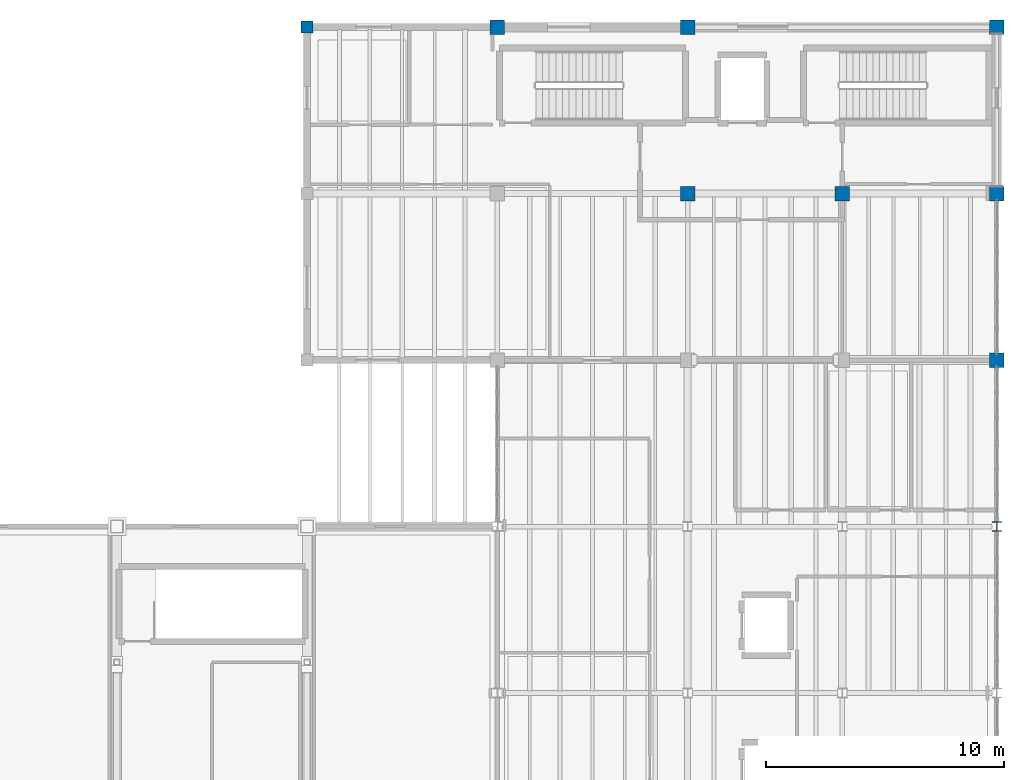
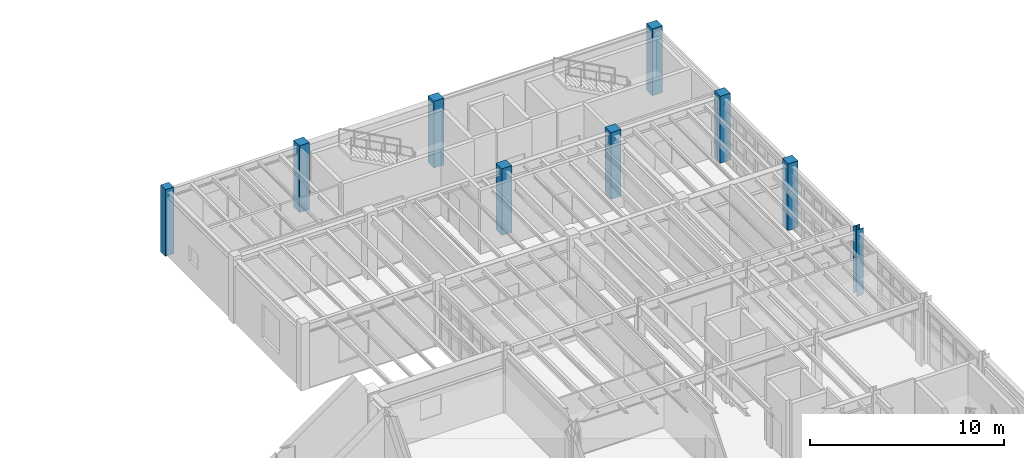
# One storey, part 7 of 78: 9 columns.
"""IFC4 building model written with IfcOpenShell, lengths in metres."""

from ifc_helpers import new_model, si_unit, direction, frame, origin, origin_2d, place, context, subcontext, project, spatial, rectangle, i_section, extrude, material, material_profile, profile_set, type_object, element, save


model = new_model("IFC4")

# Units and contexts
model_context = context("Model", 3, precision=1e-05, world=origin(), true_north=direction((0.0, 1.0)))
body_context = subcontext(model_context, "Body", "Model", "MODEL_VIEW")
ifc_project = project(units=[si_unit("LENGTHUNIT", "METRE"), si_unit("AREAUNIT", "SQUARE_METRE"), si_unit("VOLUMEUNIT", "CUBIC_METRE"), si_unit("PLANEANGLEUNIT", "RADIAN"), si_unit("MASSUNIT", "GRAM", prefix="KILO"), si_unit("THERMODYNAMICTEMPERATUREUNIT", "KELVIN"), si_unit("POWERUNIT", "WATT")], contexts=[model_context])

# Site, building, storey
site_placement = place(None, origin())
site = spatial("IfcSite", under=ifc_project, at=site_placement, CompositionType="ELEMENT")
building_placement = place(site_placement, origin())
building = spatial("IfcBuilding", under=site, at=building_placement, Name="Zhenchuan Central Fire Station", CompositionType="ELEMENT")
storey_placement = place(building_placement, frame((0.0, 0.0, 5.85009765625)))
storey = spatial("IfcBuildingStorey", under=building, at=storey_placement, Name="L02", CompositionType="ELEMENT", Elevation=5.85009765625)

# Columns
ifc_material_1 = material(Name="Steel Q355B", Category="steel")
ifc_material_profile_1 = material_profile(ifc_material_1, i_section(OverallWidth=0.39990234375, OverallDepth=0.39990234375, WebThickness=0.012939453125, FlangeThickness=0.02099609375, FilletRadius=0.02197265625, at=origin_2d()), Name="HW 400x400")
ifc_profile_set_1 = profile_set([ifc_material_profile_1], Name="Steel Q355B")
column_type_1 = type_object("IfcColumnType", Name="COL-HW400", PredefinedType="COLUMN", material=ifc_profile_set_1)
column_1_placement = place(storey_placement, frame((161.0, 35.5, 0.0), z_axis=(0.0, 0.0, 1.0), x_axis=(1.0, 0.0, 0.0)))
element("IfcColumn", 1, at=column_1_placement, inside=storey, type_object=column_type_1, Name="L02 Column 115", PredefinedType="COLUMN", context=body_context, shape_type="SweptSolid", body=[
    extrude(i_section(OverallWidth=0.39990234375, OverallDepth=0.39990234375, WebThickness=0.012939453125, FlangeThickness=0.02099609375, FilletRadius=0.02197265625, at=origin_2d()), origin(), (0.0, 0.0, 1.0), 4.199951171875),
])
ifc_material_2 = material(Name="Concrete C40/50", Category="concrete")
ifc_material_profile_2 = material_profile(ifc_material_2, rectangle(XDim=0.5, YDim=0.5, at=origin_2d()), Name="RC 500x500")
ifc_profile_set_2 = profile_set([ifc_material_profile_2], Name="Concrete C40/50")
column_type_2 = type_object("IfcColumnType", Name="COL-RC500-EXT", PredefinedType="COLUMN", material=ifc_profile_set_2)
column_2_placement = place(storey_placement, frame((132.0, 56.5, 0.0), z_axis=(0.0, 0.0, 1.0), x_axis=(1.0, 0.0, 0.0)))
element("IfcColumn", 2, at=column_2_placement, inside=storey, type_object=column_type_2, Name="L02 Column 083", PredefinedType="COLUMN", context=body_context, shape_type="SweptSolid", body=[
    extrude(rectangle(XDim=0.5, YDim=0.5, at=origin_2d()), origin(), (0.0, 0.0, 1.0), 4.199951171875),
])
ifc_material_profile_3 = material_profile(ifc_material_2, rectangle(XDim=0.60009765625, YDim=0.60009765625, at=origin_2d()), Name="RC 600x600")
ifc_profile_set_3 = profile_set([ifc_material_profile_3], Name="Concrete C40/50")
column_type_3 = type_object("IfcColumnType", Name="COL-RC600", PredefinedType="COLUMN", material=ifc_profile_set_3)
for number, where, z_axis, x_axis, name in (
    (3, (148.0, 49.5, 0.0), (0.0, 0.0, 1.0), (1.0, 0.0, 0.0), "L02 Column 100"),
    (4, (154.5, 49.5, 0.0), (0.0, 0.0, 1.0), (1.0, 0.0, 0.0), "L02 Column 109"),
):
    element("IfcColumn", number, at=place(storey_placement, frame(where, z_axis=z_axis, x_axis=x_axis)), inside=storey, type_object=column_type_3, Name=name, PredefinedType="COLUMN", context=body_context, shape_type="SweptSolid", body=[
        extrude(rectangle(XDim=0.60009765625, YDim=0.60009765625, at=origin_2d()), origin(), (0.0, 0.0, 1.0), 4.199951171875),
    ])
ifc_material_profile_4 = material_profile(ifc_material_2, rectangle(XDim=0.60009765625, YDim=0.60009765625, at=origin_2d()), Name="RC 600x600")
ifc_profile_set_4 = profile_set([ifc_material_profile_4], Name="Concrete C40/50")
column_type_4 = type_object("IfcColumnType", Name="COL-RC600-EXT", PredefinedType="COLUMN", material=ifc_profile_set_4)
for number, where, z_axis, x_axis, name in (
    (5, (140.0, 56.5, 0.0), (0.0, 0.0, 1.0), (1.0, 0.0, 0.0), "L02 Column 092"),
    (6, (148.0, 56.5, 0.0), (0.0, 0.0, 1.0), (1.0, 0.0, 0.0), "L02 Column 101"),
    (7, (161.0, 42.5, 0.0), (0.0, 0.0, 1.0), (1.0, 0.0, 0.0), "L02 Column 116"),
    (8, (161.0, 49.5, 0.0), (0.0, 0.0, 1.0), (1.0, 0.0, 0.0), "L02 Column 117"),
    (9, (161.0, 56.5, 0.0), (0.0, 0.0, 1.0), (1.0, 0.0, 0.0), "L02 Column 118"),
):
    element("IfcColumn", number, at=place(storey_placement, frame(where, z_axis=z_axis, x_axis=x_axis)), inside=storey, type_object=column_type_4, Name=name, PredefinedType="COLUMN", context=body_context, shape_type="SweptSolid", body=[
        extrude(rectangle(XDim=0.60009765625, YDim=0.60009765625, at=origin_2d()), origin(), (0.0, 0.0, 1.0), 4.199951171875),
    ])

save(model, "model.ifc")
